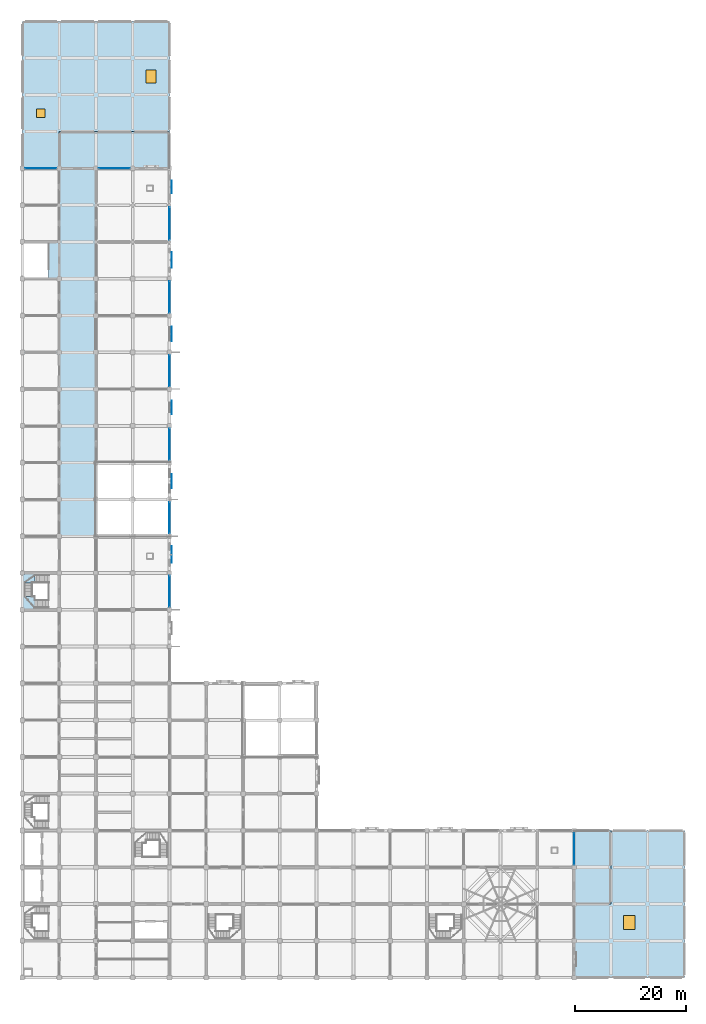
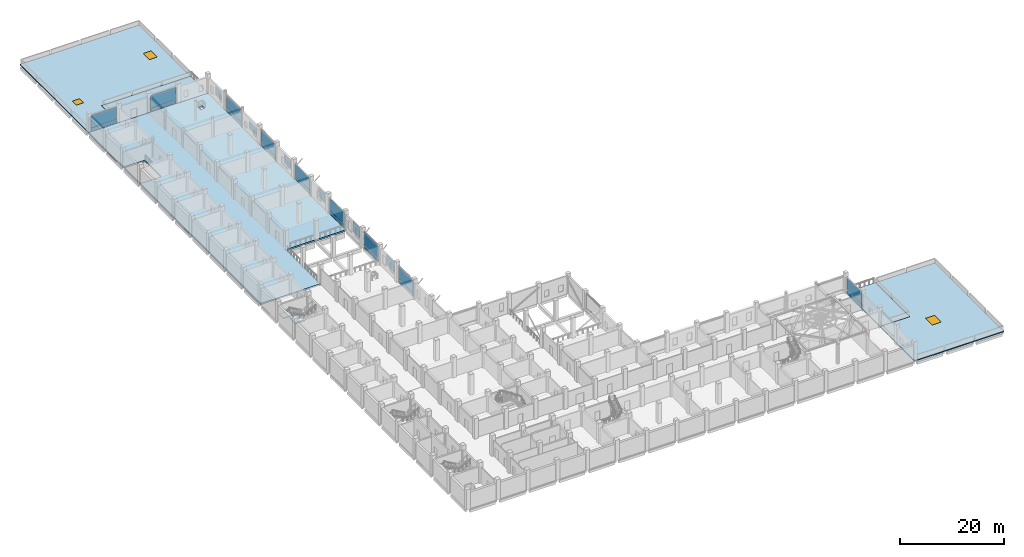
# One storey, part 16 of 34: 24 plates, 7 slabs, 3 windows, 3 openings, 10 elements without a shape of their own.
"""IFC4 building model written with IfcOpenShell, lengths in metres."""

import ifcopenshell
import ifcopenshell.guid

model = None  # the IFC model being written
_history = None  # IfcOwnerHistory: only IFC2X3 demands one
_inside = {}  # id of a spatial element -> (the spatial element, [elements in it])
_under = {}  # id of a project, library or spatial element -> (it, [spatial elements below it])
_declared = {}  # id of a project -> (the project, [libraries it declares])
_typed = {}  # id of a type object -> (the type object, [elements of that type])
_made_of = {}  # id of a material, layer set ... -> (it, [elements and type objects made of it])


def new_model(schema):
    """Start an empty IFC model of exactly this schema.

    Asked for "IFC4X3", IfcOpenShell would pick the latest addendum, in which some entities
    have other attributes; the version numbers below select the first issue.
    IFC2X3 requires an IfcOwnerHistory on every rooted entity: one is made here for all.
    """
    global model, _history
    if schema == "IFC4X3":
        model = ifcopenshell.file(schema_version=(4, 3, 0, 0))
    else:
        model = ifcopenshell.file(schema=schema)
    _inside.clear()
    _under.clear()
    _declared.clear()
    _typed.clear()
    _made_of.clear()
    _history = None
    if model.schema == "IFC2X3":
        org = make("IfcOrganization", Name="unknown")
        user = make(
            "IfcPersonAndOrganization",
            ThePerson=make("IfcPerson", FamilyName="unknown"),
            TheOrganization=org,
        )
        app = make(
            "IfcApplication",
            ApplicationDeveloper=org,
            Version="unknown",
            ApplicationFullName="unknown",
            ApplicationIdentifier="unknown",
        )
        _history = make(
            "IfcOwnerHistory",
            OwningUser=user,
            OwningApplication=app,
            ChangeAction="ADDED",
            CreationDate=0,
        )
    return model


def make(cls, **values):
    """One entity of the class cls with the attributes given. An attribute that is None is left unset."""
    return model.create_entity(
        cls, **{name: value for name, value in values.items() if value is not None}
    )


def rooted(cls, **values):
    """An entity with a GlobalId (a new one), such as an element, a storey or a relation."""
    return make(cls, GlobalId=ifcopenshell.guid.new(), OwnerHistory=_history, **values)


def si_unit(unit_type, name, prefix=None):
    """IfcSIUnit, for example si_unit("LENGTHUNIT", "METRE", prefix="MILLI")."""
    return make("IfcSIUnit", UnitType=unit_type, Prefix=prefix, Name=name)


def assignment(units):
    """IfcUnitAssignment: the units of a project."""
    return None if units is None else make("IfcUnitAssignment", Units=units)


def point(xyz):
    """IfcCartesianPoint."""
    return None if xyz is None else make("IfcCartesianPoint", Coordinates=xyz)


def direction(xyz):
    """IfcDirection."""
    return None if xyz is None else make("IfcDirection", DirectionRatios=xyz)


def frame(location, z_axis=None, x_axis=None):
    """IfcAxis2Placement3D, a coordinate frame: its origin and axes. An axis left out is left unset."""
    return make(
        "IfcAxis2Placement3D",
        Location=point(location),
        Axis=direction(z_axis),
        RefDirection=direction(x_axis),
    )


def frame_2d(location, x_axis=None):
    """IfcAxis2Placement2D, a coordinate frame in the plane: its origin and x axis."""
    return make(
        "IfcAxis2Placement2D", Location=point(location), RefDirection=direction(x_axis)
    )


def origin():
    """The frame at (0, 0, 0) with its axes left unset."""
    return frame((0.0, 0.0, 0.0))


def origin_2d():
    """The frame at (0, 0) in the plane with its x axis left unset."""
    return frame_2d((0.0, 0.0))


def place(relative_to, where):
    """IfcLocalPlacement: puts the frame where relative to a parent placement (None: the world)."""
    return make(
        "IfcLocalPlacement", PlacementRelTo=relative_to, RelativePlacement=where
    )


def context(
    kind, dimensions, precision=None, world=None, true_north=None, identifier=None
):
    """IfcGeometricRepresentationContext, for example the 3D "Model" context."""
    return make(
        "IfcGeometricRepresentationContext",
        ContextIdentifier=identifier,
        ContextType=kind,
        CoordinateSpaceDimension=dimensions,
        Precision=precision,
        WorldCoordinateSystem=world,
        TrueNorth=true_north,
    )


def subcontext(parent, identifier, kind, view, scale=None):
    """IfcGeometricRepresentationSubContext, for example "Body" below "Model"."""
    return make(
        "IfcGeometricRepresentationSubContext",
        ContextIdentifier=identifier,
        ContextType=kind,
        ParentContext=parent,
        TargetScale=scale,
        TargetView=view,
    )


def project(units=None, contexts=None):
    """IfcProject with its units and contexts."""
    return rooted(
        "IfcProject",
        Name="project",
        RepresentationContexts=contexts,
        UnitsInContext=assignment(units),
    )


def spatial(cls, under=None, at=None, **own):
    """A site, building, storey or space (cls), placed at a placement, below another one or the project."""
    s = rooted(cls, ObjectPlacement=at, **own)
    if under is not None:
        _under.setdefault(under.id(), (under, []))[1].append(s)
    return s


def polyline(points):
    """IfcPolyline through the points."""
    return make("IfcPolyline", Points=[point(p) for p in points])


def profile(cls, at=None, kind="AREA", **sizes):
    """A parametric profile (cls). Its sizes go by their IFC names, for example OverallWidth=200.0."""
    return make(cls, ProfileType=kind, Position=at, **sizes)


def rectangle(**sizes):
    """IfcRectangleProfileDef."""
    return profile("IfcRectangleProfileDef", **sizes)


def outline(outer, holes=None, kind="AREA"):
    """IfcArbitraryClosedProfileDef: a profile drawn as a closed curve; with holes, ...WithVoids."""
    if holes is None:
        return make("IfcArbitraryClosedProfileDef", ProfileType=kind, OuterCurve=outer)
    return make(
        "IfcArbitraryProfileDefWithVoids",
        ProfileType=kind,
        OuterCurve=outer,
        InnerCurves=holes,
    )


def extrude(swept, where, along, depth):
    """IfcExtrudedAreaSolid: the profile swept, set in the frame where, extruded along a direction by depth."""
    return make(
        "IfcExtrudedAreaSolid",
        SweptArea=swept,
        Position=where,
        ExtrudedDirection=direction(along),
        Depth=depth,
    )


def shape(context_of_items, identifier, shape_type, items):
    """IfcShapeRepresentation: the items that make up one representation, for example the "Body"."""
    return make(
        "IfcShapeRepresentation",
        ContextOfItems=context_of_items,
        RepresentationIdentifier=identifier,
        RepresentationType=shape_type,
        Items=items,
    )


def material(Name=None, Category=None):
    """IfcMaterial."""
    return make("IfcMaterial", Name=Name, Category=Category)


def layer(
    of_material, thickness, ventilated=None, Name=None, Category=None, Priority=None
):
    """IfcMaterialLayer: one layer of a wall or slab, of a material (None: an air gap)."""
    return make(
        "IfcMaterialLayer",
        Material=of_material,
        LayerThickness=thickness,
        IsVentilated=ventilated,
        Name=Name,
        Category=Category,
        Priority=Priority,
    )


def layer_set(layers, Name=None):
    """IfcMaterialLayerSet."""
    return make("IfcMaterialLayerSet", MaterialLayers=layers, LayerSetName=Name)


def made_of(thing, what):
    """Note that an element or type object is made of a material, layer set ...; save() writes the relation."""
    if what is not None:
        _made_of.setdefault(what.id(), (what, []))[1].append(thing)
    return thing


def type_object(cls, material=None, **own):
    """A type object (cls), such as IfcWallType, which elements share."""
    return made_of(rooted(cls, **own), material)


def element(
    cls,
    number,
    at=None,
    inside=None,
    cuts=None,
    type_object=None,
    material=None,
    context=None,
    identifier="Body",
    shape_type=None,
    held_by="IfcProductDefinitionShape",
    body=None,
    shapes=None,
    **own,
):
    """One element of the class cls, such as IfcWall. Its Tag is "e" and its number.

    at: its placement. inside: the storey or other place that contains it. cuts: it is an
    opening in that element (IfcRelVoidsElement). A single representation is given by context,
    identifier, shape_type and body (its items); several are given by shapes. held_by: the class
    of the entity that holds the representations. save() writes the other relations.
    """
    e = rooted(cls, Tag="e%d" % number, ObjectPlacement=at, **own)
    if body is not None:
        shapes = [shape(context, identifier, shape_type, body)]
    if shapes is not None:
        e.Representation = make(held_by, Representations=shapes)
    if inside is not None:
        _inside.setdefault(inside.id(), (inside, []))[1].append(e)
    if cuts is not None:
        rooted(
            "IfcRelVoidsElement", RelatingBuildingElement=cuts, RelatedOpeningElement=e
        )
    if type_object is not None:
        _typed.setdefault(type_object.id(), (type_object, []))[1].append(e)
    return made_of(e, material)


def fill(opening, filler):
    """IfcRelFillsElement: the door or window that sits in an opening."""
    return rooted(
        "IfcRelFillsElement",
        RelatingOpeningElement=opening,
        RelatedBuildingElement=filler,
    )


def aggregate(whole, parts):
    """IfcRelAggregates: a whole, such as a stair, and the parts it consists of."""
    return rooted("IfcRelAggregates", RelatingObject=whole, RelatedObjects=parts)


def save(model, path):
    """Write the relations noted so far, then the file.

    IfcRelAggregates (storeys below a building ...), IfcRelContainedInSpatialStructure (elements
    in a storey), IfcRelDefinesByType, IfcRelAssociatesMaterial and IfcRelDeclares: one each for
    every whole, place, type object, material and project.
    """
    for whole, parts in _under.values():
        aggregate(whole, parts)
    for where, things in _inside.values():
        rooted(
            "IfcRelContainedInSpatialStructure",
            RelatedElements=things,
            RelatingStructure=where,
        )
    for kind, things in _typed.values():
        rooted("IfcRelDefinesByType", RelatedObjects=things, RelatingType=kind)
    for what, things in _made_of.values():
        rooted("IfcRelAssociatesMaterial", RelatedObjects=things, RelatingMaterial=what)
    for by, libraries in _declared.values():
        rooted("IfcRelDeclares", RelatingContext=by, RelatedDefinitions=libraries)
    model.write(path)


model = new_model("IFC4")

# Units and contexts
model_context = context("Model", 3, precision=1e-05, world=origin(), true_north=direction((0.0, 1.0)))
body_context = subcontext(model_context, "Body", "Model", "MODEL_VIEW")
ifc_project = project(units=[si_unit("LENGTHUNIT", "METRE"), si_unit("AREAUNIT", "SQUARE_METRE"), si_unit("VOLUMEUNIT", "CUBIC_METRE"), si_unit("PLANEANGLEUNIT", "RADIAN"), si_unit("MASSUNIT", "GRAM", prefix="KILO")], contexts=[model_context])

# Site, building, storey
site_placement = place(None, origin())
site = spatial("IfcSite", under=ifc_project, at=site_placement, CompositionType="ELEMENT")
building_placement = place(site_placement, origin())
building = spatial("IfcBuilding", under=site, at=building_placement, Name="Rusizi Kubbe Research Institute", CompositionType="ELEMENT")
storey_placement = place(building_placement, frame((0.0, 0.0, 5.39990234375)))
storey = spatial("IfcBuildingStorey", under=building, at=storey_placement, Name="L01", CompositionType="ELEMENT", Elevation=5.39990234375)

# Curtain wall, plate
ifc_material_1 = material(Name="Thermally Broken Aluminium and Low-E Glazing", Category="aluminium")
curtain_wall_type_1 = type_object("IfcCurtainWallType", Name="CW-17", PredefinedType="NOTDEFINED", material=ifc_material_1)
curtain_wall_1_placement = place(storey_placement, origin())
curtain_wall_1 = element("IfcCurtainWall", 1, at=curtain_wall_1_placement, inside=storey, type_object=curtain_wall_type_1, Name="Unitised Facade Curtain Wall CW-L01-V-04-18", PredefinedType="NOTDEFINED")
ifc_material_2 = material(Name="Double Low-E Solar Control Insulated Glass", Category="glass")
ifc_layer_1 = layer(ifc_material_2, 0.02392578125)
ifc_layer_set_1 = layer_set([ifc_layer_1], Name="Double Low-E Solar Control Insulated Glass")
plate_type_1 = type_object("IfcPlateType", Name="GL-01", PredefinedType="CURTAIN_PANEL", material=ifc_layer_set_1)
plate_1_placement = place(storey_placement, frame((26.39990234375, 122.10009765625, 0.93017578125), z_axis=(0.0, 0.0, 1.0), x_axis=(0.0, 1.0, 0.0)))
plate_1 = element("IfcPlate", 2, at=plate_1_placement, type_object=plate_type_1, Name="CW-17 panel 1.2", PredefinedType="CURTAIN_PANEL", context=body_context, shape_type="SweptSolid", body=[
    extrude(rectangle(XDim=5.610107421875, YDim=0.02392578125, at=origin_2d()), origin(), (0.0, 0.0, 1.0), 2.860107421875),
])

curtain_wall_2_placement = place(storey_placement, origin())
curtain_wall_2 = element("IfcCurtainWall", 3, at=curtain_wall_2_placement, inside=storey, type_object=curtain_wall_type_1, Name="Unitised Facade Curtain Wall CW-L01-H-00-22", PredefinedType="NOTDEFINED")
ifc_material_3 = material(Name="Double Low-E Solar Control Insulated Glass", Category="glass")
ifc_layer_2 = layer(ifc_material_3, 0.028076171875)
ifc_layer_set_2 = layer_set([ifc_layer_2], Name="Double Low-E Solar Control Insulated Glass")
plate_type_2 = type_object("IfcPlateType", Name="GL-02", PredefinedType="CURTAIN_PANEL", material=ifc_layer_set_2)
plate_2_placement = place(storey_placement, frame((3.300048828125, 145.199951171875, 0.93017578125), z_axis=(0.0, 0.0, 1.0), x_axis=(1.0, 0.0, 0.0)))
plate_2 = element("IfcPlate", 4, at=plate_2_placement, type_object=plate_type_2, Name="CW-17 panel 1.2", PredefinedType="CURTAIN_PANEL", context=body_context, shape_type="SweptSolid", body=[
    extrude(rectangle(XDim=5.6201171875, YDim=0.028076171875, at=origin_2d()), origin(), (0.0, 0.0, 1.0), 2.860107421875),
])

ifc_material_4 = material(Name="Thermally Broken Aluminium and Low-E Glazing", Category="aluminium")
curtain_wall_type_2 = type_object("IfcCurtainWallType", Name="CW-18", PredefinedType="NOTDEFINED", material=ifc_material_4)
curtain_wall_3_placement = place(storey_placement, origin())
curtain_wall_3 = element("IfcCurtainWall", 5, at=curtain_wall_3_placement, inside=storey, type_object=curtain_wall_type_2, Name="Unitised Facade Curtain Wall CW-L01-V-04-20", PredefinedType="NOTDEFINED")
plate_3_placement = place(storey_placement, frame((26.39990234375, 135.300048828125, 0.93017578125), z_axis=(0.0, 0.0, 1.0), x_axis=(0.0, 1.0, 0.0)))
plate_3 = element("IfcPlate", 6, at=plate_3_placement, type_object=plate_type_2, Name="CW-18 panel 1.2", PredefinedType="CURTAIN_PANEL", context=body_context, shape_type="SweptSolid", body=[
    extrude(rectangle(XDim=5.800048828125, YDim=0.028076171875, at=origin_2d()), origin(), (0.0, 0.0, 1.0), 2.860107421875),
])

curtain_wall_4_placement = place(storey_placement, origin())
curtain_wall_4 = element("IfcCurtainWall", 7, at=curtain_wall_4_placement, inside=storey, type_object=curtain_wall_type_1, Name="Unitised Facade Curtain Wall CW-L01-H-02-22", PredefinedType="NOTDEFINED")
ifc_material_5 = material(Name="Double Low-E Solar Control Insulated Glass", Category="glass")
ifc_layer_3 = layer(ifc_material_5, 0.031982421875)
ifc_layer_set_3 = layer_set([ifc_layer_3], Name="Double Low-E Solar Control Insulated Glass")
plate_type_3 = type_object("IfcPlateType", Name="GL-03", PredefinedType="CURTAIN_PANEL", material=ifc_layer_set_3)
plate_4_placement = place(storey_placement, frame((16.5, 145.199951171875, 0.9326171875), z_axis=(0.0, 0.0, 1.0), x_axis=(1.0, 0.0, 0.0)))
plate_4 = element("IfcPlate", 8, at=plate_4_placement, type_object=plate_type_3, Name="CW-17 panel 1.2", PredefinedType="CURTAIN_PANEL", context=body_context, shape_type="SweptSolid", body=[
    extrude(rectangle(XDim=5.610107421875, YDim=0.031982421875, at=origin_2d()), origin(), (0.0, 0.0, 1.0), 2.8525390625),
])

curtain_wall_5_placement = place(storey_placement, origin())
curtain_wall_5 = element("IfcCurtainWall", 9, at=curtain_wall_5_placement, inside=storey, type_object=curtain_wall_type_2, Name="Unitised Facade Curtain Wall CW-L01-V-15-03", PredefinedType="NOTDEFINED")
plate_5_placement = place(storey_placement, frame((99.0, 23.10009765625, 0.9326171875), z_axis=(0.0, 0.0, 1.0), x_axis=(0.0, 1.0, 0.0)))
plate_5 = element("IfcPlate", 10, at=plate_5_placement, type_object=plate_type_3, Name="CW-18 panel 1.2", PredefinedType="CURTAIN_PANEL", context=body_context, shape_type="SweptSolid", body=[
    extrude(rectangle(XDim=5.6201171875, YDim=0.031982421875, at=origin_2d()), origin(), (0.0, 0.0, 1.0), 2.8525390625),
])

curtain_wall_6_placement = place(storey_placement, origin())
curtain_wall_6 = element("IfcCurtainWall", 11, at=curtain_wall_6_placement, inside=storey, type_object=curtain_wall_type_1, Name="Unitised Facade Curtain Wall CW-L01-V-04-10", PredefinedType="NOTDEFINED")
ifc_material_6 = material(Name="Double Low-E Solar Control Insulated Glass", Category="glass")
ifc_layer_4 = layer(ifc_material_6, 0.0400390625)
ifc_layer_set_4 = layer_set([ifc_layer_4], Name="Double Low-E Solar Control Insulated Glass")
plate_type_4 = type_object("IfcPlateType", Name="GL-05", PredefinedType="CURTAIN_PANEL", material=ifc_layer_set_4)
plate_6_placement = place(storey_placement, frame((26.39990234375, 69.300048828125, 0.93017578125), z_axis=(0.0, 0.0, 1.0), x_axis=(0.0, 1.0, 0.0)))
plate_6 = element("IfcPlate", 12, at=plate_6_placement, type_object=plate_type_4, Name="CW-17 panel 1.2", PredefinedType="CURTAIN_PANEL", context=body_context, shape_type="SweptSolid", body=[
    extrude(rectangle(XDim=5.590087890625, YDim=0.0400390625, at=origin_2d()), origin(), (0.0, 0.0, 1.0), 2.860107421875),
])

curtain_wall_7_placement = place(storey_placement, origin())
curtain_wall_7 = element("IfcCurtainWall", 13, at=curtain_wall_7_placement, inside=storey, type_object=curtain_wall_type_1, Name="Unitised Facade Curtain Wall CW-L01-V-04-12", PredefinedType="NOTDEFINED")
ifc_material_7 = material(Name="Double Low-E Solar Control Insulated Glass", Category="glass")
ifc_layer_5 = layer(ifc_material_7, 0.0439453125)
ifc_layer_set_5 = layer_set([ifc_layer_5], Name="Double Low-E Solar Control Insulated Glass")
plate_type_5 = type_object("IfcPlateType", Name="GL-06", PredefinedType="CURTAIN_PANEL", material=ifc_layer_set_5)
plate_7_placement = place(storey_placement, frame((26.39990234375, 82.5, 0.93017578125), z_axis=(0.0, 0.0, 1.0), x_axis=(0.0, 1.0, 0.0)))
plate_7 = element("IfcPlate", 14, at=plate_7_placement, type_object=plate_type_5, Name="CW-17 panel 1.2", PredefinedType="CURTAIN_PANEL", context=body_context, shape_type="SweptSolid", body=[
    extrude(rectangle(XDim=5.580078125, YDim=0.0439453125, at=origin_2d()), origin(), (0.0, 0.0, 1.0), 2.860107421875),
])

curtain_wall_8_placement = place(storey_placement, origin())
curtain_wall_8 = element("IfcCurtainWall", 15, at=curtain_wall_8_placement, inside=storey, type_object=curtain_wall_type_1, Name="Unitised Facade Curtain Wall CW-L01-V-04-14", PredefinedType="NOTDEFINED")
ifc_material_8 = material(Name="Double Low-E Solar Control Insulated Glass", Category="glass")
ifc_layer_6 = layer(ifc_material_8, 0.048095703125)
ifc_layer_set_6 = layer_set([ifc_layer_6], Name="Double Low-E Solar Control Insulated Glass")
plate_type_6 = type_object("IfcPlateType", Name="GL-07", PredefinedType="CURTAIN_PANEL", material=ifc_layer_set_6)
plate_8_placement = place(storey_placement, frame((26.39990234375, 95.699951171875, 0.9326171875), z_axis=(0.0, 0.0, 1.0), x_axis=(0.0, 1.0, 0.0)))
plate_8 = element("IfcPlate", 16, at=plate_8_placement, type_object=plate_type_6, Name="CW-17 panel 1.2", PredefinedType="CURTAIN_PANEL", context=body_context, shape_type="SweptSolid", body=[
    extrude(rectangle(XDim=5.6201171875, YDim=0.048095703125, at=origin_2d()), origin(), (0.0, 0.0, 1.0), 2.8525390625),
])

curtain_wall_9_placement = place(storey_placement, origin())
curtain_wall_9 = element("IfcCurtainWall", 17, at=curtain_wall_9_placement, inside=storey, type_object=curtain_wall_type_1, Name="Unitised Facade Curtain Wall CW-L01-V-04-16", PredefinedType="NOTDEFINED")
ifc_material_9 = material(Name="Double Low-E Solar Control Insulated Glass", Category="glass")
ifc_layer_7 = layer(ifc_material_9, 0.052001953125)
ifc_layer_set_7 = layer_set([ifc_layer_7], Name="Double Low-E Solar Control Insulated Glass")
plate_type_7 = type_object("IfcPlateType", Name="GL-08", PredefinedType="CURTAIN_PANEL", material=ifc_layer_set_7)
plate_9_placement = place(storey_placement, frame((26.39990234375, 108.89990234375, 0.93505859375), z_axis=(0.0, 0.0, 1.0), x_axis=(0.0, 1.0, 0.0)))
plate_9 = element("IfcPlate", 18, at=plate_9_placement, type_object=plate_type_7, Name="CW-17 panel 1.2", PredefinedType="CURTAIN_PANEL", context=body_context, shape_type="SweptSolid", body=[
    extrude(rectangle(XDim=5.6201171875, YDim=0.052001953125, at=origin_2d()), origin(), (0.0, 0.0, 1.0), 2.844970703125),
])

# Plates
ifc_material_10 = material(Name="Perforated Architectural Bronze Screen", Category="steel")
ifc_layer_8 = layer(ifc_material_10, 0.01806640625)
ifc_layer_set_8 = layer_set([ifc_layer_8], Name="Perforated Architectural Bronze Screen")
plate_type_8 = type_object("IfcPlateType", Name="MS-01", PredefinedType="SHEET", material=ifc_layer_set_8)
plate_10_placement = place(storey_placement, frame((26.830078125, 102.300048828125, 0.760009765625), z_axis=(0.0, 0.0, 1.0), x_axis=(0.0, 1.0, 0.0)))
element("IfcPlate", 19, at=plate_10_placement, inside=storey, type_object=plate_type_8, Name="Mashrabiya Perforated Screen MS-01-024", PredefinedType="SHEET", context=body_context, shape_type="SweptSolid", body=[
    extrude(rectangle(XDim=2.39990234375, YDim=0.01806640625, at=origin_2d()), origin(), (0.0, 0.0, 1.0), 2.52001953125),
])
ifc_material_11 = material(Name="Perforated Architectural Bronze Screen", Category="steel")
ifc_layer_9 = layer(ifc_material_11, 0.02001953125)
ifc_layer_set_9 = layer_set([ifc_layer_9], Name="Perforated Architectural Bronze Screen")
plate_type_9 = type_object("IfcPlateType", Name="MS-02", PredefinedType="SHEET", material=ifc_layer_set_9)
plate_11_placement = place(storey_placement, frame((26.8125, 115.5, 0.760009765625), z_axis=(0.0, 0.0, 1.0), x_axis=(0.0, 1.0, 0.0)))
element("IfcPlate", 20, at=plate_11_placement, inside=storey, type_object=plate_type_9, Name="Mashrabiya Perforated Screen MS-02-025", PredefinedType="SHEET", context=body_context, shape_type="SweptSolid", body=[
    extrude(rectangle(XDim=2.60009765625, YDim=0.02001953125, at=origin_2d()), origin(), (0.0, 0.0, 1.0), 2.06005859375),
])
ifc_material_12 = material(Name="Perforated Architectural Bronze Screen", Category="steel")
ifc_layer_10 = layer(ifc_material_12, 0.02197265625)
ifc_layer_set_10 = layer_set([ifc_layer_10], Name="Perforated Architectural Bronze Screen")
plate_type_10 = type_object("IfcPlateType", Name="MS-03", PredefinedType="SHEET", material=ifc_layer_set_10)
plate_12_placement = place(storey_placement, frame((26.797607421875, 128.75, 0.76025390625), z_axis=(0.0, 0.0, 1.0), x_axis=(0.0, 1.0, 0.0)))
element("IfcPlate", 21, at=plate_12_placement, inside=storey, type_object=plate_type_10, Name="Mashrabiya Perforated Screen MS-03-026", PredefinedType="SHEET", context=body_context, shape_type="SweptSolid", body=[
    extrude(rectangle(XDim=2.800048828125, YDim=0.02197265625, at=origin_2d()), origin(), (0.0, 0.0, 1.0), 1.679931640625),
])
ifc_material_13 = material(Name="Perforated Architectural Bronze Screen", Category="steel")
ifc_layer_11 = layer(ifc_material_13, 0.01611328125)
ifc_layer_set_11 = layer_set([ifc_layer_11], Name="Perforated Architectural Bronze Screen")
plate_type_11 = type_object("IfcPlateType", Name="MS-04", PredefinedType="SHEET", material=ifc_layer_set_11)
plate_13_placement = place(storey_placement, frame((26.782470703125, 141.85009765625, 0.760009765625), z_axis=(0.0, 0.0, 1.0), x_axis=(0.0, 1.0, 0.0)))
element("IfcPlate", 22, at=plate_13_placement, inside=storey, type_object=plate_type_11, Name="Mashrabiya Perforated Screen MS-04-027", PredefinedType="SHEET", context=body_context, shape_type="SweptSolid", body=[
    extrude(rectangle(XDim=2.199951171875, YDim=0.01611328125, at=origin_2d()), origin(), (0.0, 0.0, 1.0), 2.1201171875),
])
ifc_material_14 = material(Name="Perforated Architectural Bronze Screen", Category="steel")
ifc_layer_12 = layer(ifc_material_14, 0.02392578125)
ifc_layer_set_12 = layer_set([ifc_layer_12], Name="Perforated Architectural Bronze Screen")
plate_type_12 = type_object("IfcPlateType", Name="MS-05", PredefinedType="SHEET", material=ifc_layer_set_12)
plate_14_placement = place(storey_placement, frame((26.797607421875, 75.89990234375, 0.760009765625), z_axis=(0.0, 0.0, 1.0), x_axis=(0.0, 1.0, 0.0)))
element("IfcPlate", 23, at=plate_14_placement, inside=storey, type_object=plate_type_12, Name="Mashrabiya Perforated Screen MS-05-022", PredefinedType="SHEET", context=body_context, shape_type="SweptSolid", body=[
    extrude(rectangle(XDim=3.0, YDim=0.02392578125, at=origin_2d()), origin(), (0.0, 0.0, 1.0), 2.5400390625),
])
ifc_material_15 = material(Name="Perforated Architectural Bronze Screen", Category="steel")
ifc_layer_13 = layer(ifc_material_15, 0.01904296875)
ifc_layer_set_13 = layer_set([ifc_layer_13], Name="Perforated Architectural Bronze Screen")
plate_type_13 = type_object("IfcPlateType", Name="MS-06", PredefinedType="SHEET", material=ifc_layer_set_13)
plate_15_placement = place(storey_placement, frame((26.782470703125, 89.10009765625, 0.760009765625), z_axis=(0.0, 0.0, 1.0), x_axis=(0.0, 1.0, 0.0)))
element("IfcPlate", 24, at=plate_15_placement, inside=storey, type_object=plate_type_13, Name="Mashrabiya Perforated Screen MS-06-023", PredefinedType="SHEET", context=body_context, shape_type="SweptSolid", body=[
    extrude(rectangle(XDim=2.5, YDim=0.01904296875, at=origin_2d()), origin(), (0.0, 0.0, 1.0), 2.56005859375),
])

# Slab
ifc_material_16 = material(Name="Concrete C40/50", Category="concrete")
ifc_layer_14 = layer(ifc_material_16, 0.35009765625)
ifc_layer_set_14 = layer_set([ifc_layer_14], Name="Concrete C40/50")
slab_type_1 = type_object("IfcSlabType", Name="SL-F350", PredefinedType="FLOOR", material=ifc_layer_set_14)
slab_1_placement = place(storey_placement, frame((0.0, 0.0, -0.349853515625)))
element("IfcSlab", 25, at=slab_1_placement, inside=storey, type_object=slab_type_1, Name="Structural Slab L01 NORTHB", PredefinedType="FLOOR", context=body_context, shape_type="SweptSolid", body=[
    extrude(outline(polyline([(0.0, 105.60009765625), (0.0, 112.199951171875), (0.0, 118.800048828125), (0.0, 125.39990234375), (0.0, 132.0), (0.0, 138.60009765625), (0.0, 145.199951171875), (6.60009765625, 145.199951171875), (13.199951171875, 145.199951171875), (19.800048828125, 145.199951171875), (26.39990234375, 145.199951171875), (26.39990234375, 138.60009765625), (26.39990234375, 132.0), (26.39990234375, 125.39990234375), (26.39990234375, 118.800048828125), (26.39990234375, 112.199951171875), (26.39990234375, 105.60009765625), (26.39990234375, 99.0), (26.39990234375, 92.39990234375), (19.800048828125, 92.39990234375), (13.199951171875, 92.39990234375), (13.199951171875, 85.800048828125), (13.199951171875, 79.199951171875), (6.60009765625, 79.199951171875), (0.0, 79.199951171875), (0.0, 85.800048828125), (0.0, 92.39990234375), (0.0, 99.0), (0.0, 105.60009765625)]), holes=[polyline([(4.699951171875, 131.860107421875), (0.139892578125, 131.860107421875), (0.139892578125, 125.5400390625), (4.699951171875, 125.5400390625), (4.699951171875, 131.860107421875)]), polyline([(23.35009765625, 142.050048828125), (22.39990234375, 142.050048828125), (22.39990234375, 141.199951171875), (23.35009765625, 141.199951171875), (23.35009765625, 142.050048828125)])]), origin(), (0.0, 0.0, 1.0), 0.349853515625),
])

# Stair, slabs
ifc_material_17 = material(Name="Concrete C40/50", Category="concrete")
stair_type = type_object("IfcStairType", Name="ST-H480", PredefinedType="THREE_QUARTER_TURN_STAIR", material=ifc_material_17)
stair_placement = place(storey_placement, origin())
stair = element("IfcStair", 26, at=stair_placement, inside=storey, type_object=stair_type, Name="Protected Exit Stair ST5 (L01)", PredefinedType="THREE_QUARTER_TURN_STAIR")
ifc_material_18 = material(Name="Concrete C40/50", Category="concrete")
ifc_layer_15 = layer(ifc_material_18, 0.195068359375)
ifc_layer_set_15 = layer_set([ifc_layer_15], Name="Concrete C40/50")
slab_type_2 = type_object("IfcSlabType", Name="SL-L195", PredefinedType="LANDING", material=ifc_layer_set_15)
slab_2_placement = place(storey_placement, frame((0.0, 0.0, 1.405029296875)))
slab_2 = element("IfcSlab", 27, at=slab_2_placement, type_object=slab_type_2, Name="ST5 landing 1", PredefinedType="LANDING", context=body_context, shape_type="SweptSolid", body=[
    extrude(outline(polyline([(2.26611328125, 72.4599609375), (0.139892578125, 72.4599609375), (0.139892578125, 70.85009765625), (2.26611328125, 70.85009765625), (2.26611328125, 72.4599609375)])), origin(), (0.0, 0.0, 1.0), 0.195068359375),
])
slab_3_placement = place(storey_placement, frame((0.0, 0.0, 3.005126953125)))
slab_3 = element("IfcSlab", 28, at=slab_3_placement, type_object=slab_type_2, Name="ST5 landing 2", PredefinedType="LANDING", context=body_context, shape_type="SweptSolid", body=[
    extrude(outline(polyline([(2.26611328125, 68.416015625), (0.139892578125, 68.416015625), (0.139892578125, 66.139892578125), (2.26611328125, 66.139892578125), (2.26611328125, 68.416015625)])), origin(), (0.0, 0.0, 1.0), 0.195068359375),
])
aggregate(stair, [slab_2, slab_3])

# Slab, openings, windows
ifc_material_19 = material(Name="Concrete C40/50", Category="concrete")
ifc_layer_16 = layer(ifc_material_19, 0.235107421875)
ifc_layer_set_16 = layer_set([ifc_layer_16], Name="Concrete C40/50")
slab_type_3 = type_object("IfcSlabType", Name="SL-R235", PredefinedType="ROOF", material=ifc_layer_set_16)
slab_4_placement = place(storey_placement, frame((0.0, 0.0, -0.23486328125)))
slab_4 = element("IfcSlab", 29, at=slab_4_placement, inside=storey, type_object=slab_type_3, Name="Stepback Maintenance Roof Slab L01-1", PredefinedType="ROOF", context=body_context, shape_type="SweptSolid", body=[
    extrude(outline(polyline([(0.0, 165.0), (0.0, 171.60009765625), (6.60009765625, 171.60009765625), (13.199951171875, 171.60009765625), (19.800048828125, 171.60009765625), (26.39990234375, 171.60009765625), (26.39990234375, 165.0), (26.39990234375, 158.39990234375), (26.39990234375, 151.800048828125), (19.800048828125, 151.800048828125), (13.199951171875, 151.800048828125), (6.60009765625, 151.800048828125), (6.60009765625, 145.205078125), (0.0, 145.205078125), (0.0, 151.800048828125), (0.0, 158.39990234375), (0.0, 165.0)])), origin(), (0.0, 0.0, 1.0), 0.23486328125),
])
opening_1_placement = place(slab_4_placement, frame((3.300048828125, 155.10009765625, -0.010009765625)))
opening_1 = element("IfcOpeningElement", 30, at=opening_1_placement, cuts=slab_4, Name="Opening SK-01", PredefinedType="OPENING", context=body_context, shape_type="SweptSolid", body=[
    extrude(rectangle(XDim=1.56005859375, YDim=1.56005859375, at=origin_2d()), origin(), (0.0, 0.0, 1.0), 0.2548828125),
])
opening_2_placement = place(slab_4_placement, frame((23.10009765625, 161.699951171875, -0.010009765625)))
opening_2 = element("IfcOpeningElement", 31, at=opening_2_placement, cuts=slab_4, Name="Opening SK-02", PredefinedType="OPENING", context=body_context, shape_type="SweptSolid", body=[
    extrude(rectangle(XDim=1.780029296875, YDim=2.360107421875, at=origin_2d()), origin(), (0.0, 0.0, 1.0), 0.2548828125),
])
ifc_material_20 = material(Name="Laminated Insulated Roof Glazing", Category="glass")
window_type_1 = type_object("IfcWindowType", Name="SK-01", PartitioningType="SINGLE_PANEL", PredefinedType="SKYLIGHT", material=ifc_material_20)
window_1_placement = place(slab_4_placement, frame((3.300048828125, 155.10009765625, 0.184814453125)))
window_1 = element("IfcWindow", 32, at=window_1_placement, inside=storey, type_object=window_type_1, Name="Roof Skylight SK-01-01", OverallHeight=1.56005859375, OverallWidth=1.56005859375, PartitioningType="SINGLE_PANEL", PredefinedType="SKYLIGHT", context=body_context, shape_type="SweptSolid", body=[
    extrude(rectangle(XDim=1.56005859375, YDim=1.56005859375, at=origin_2d()), origin(), (0.0, 0.0, 1.0), 0.050048828125),
])
fill(opening_1, window_1)
ifc_material_21 = material(Name="Laminated Insulated Roof Glazing", Category="glass")
window_type_2 = type_object("IfcWindowType", Name="SK-02", PartitioningType="SINGLE_PANEL", PredefinedType="SKYLIGHT", material=ifc_material_21)
window_2_placement = place(slab_4_placement, frame((23.10009765625, 161.699951171875, 0.184814453125)))
window_2 = element("IfcWindow", 33, at=window_2_placement, inside=storey, type_object=window_type_2, Name="Roof Skylight SK-02-02", OverallHeight=2.360107421875, OverallWidth=1.780029296875, PartitioningType="SINGLE_PANEL", PredefinedType="SKYLIGHT", context=body_context, shape_type="SweptSolid", body=[
    extrude(rectangle(XDim=1.780029296875, YDim=2.360107421875, at=origin_2d()), origin(), (0.0, 0.0, 1.0), 0.050048828125),
])
fill(opening_2, window_2)

# Slab, opening, window
slab_5_placement = place(storey_placement, frame((0.0, 0.0, -0.23486328125)))
slab_5 = element("IfcSlab", 34, at=slab_5_placement, inside=storey, type_object=slab_type_3, Name="Stepback Maintenance Roof Slab L01-2", PredefinedType="ROOF", context=body_context, shape_type="SweptSolid", body=[
    extrude(outline(polyline([(105.60009765625, 13.199951171875), (105.60009765625, 19.800048828125), (105.60009765625, 26.39990234375), (112.199951171875, 26.39990234375), (118.800048828125, 26.39990234375), (118.800048828125, 19.800048828125), (118.800048828125, 13.199951171875), (118.800048828125, 6.60009765625), (118.800048828125, 0.0), (112.199951171875, 0.0), (105.60009765625, 0.0), (99.0048828125, 0.0), (99.0048828125, 13.199951171875), (105.60009765625, 13.199951171875)])), origin(), (0.0, 0.0, 1.0), 0.23486328125),
])
opening_3_placement = place(slab_5_placement, frame((108.89990234375, 9.89990234375, -0.010009765625)))
opening_3 = element("IfcOpeningElement", 35, at=opening_3_placement, cuts=slab_5, Name="Opening SK-03", PredefinedType="OPENING", context=body_context, shape_type="SweptSolid", body=[
    extrude(rectangle(XDim=2.02001953125, YDim=2.580078125, at=origin_2d()), origin(), (0.0, 0.0, 1.0), 0.2548828125),
])
ifc_material_22 = material(Name="Laminated Insulated Roof Glazing", Category="glass")
window_type_3 = type_object("IfcWindowType", Name="SK-03", PartitioningType="SINGLE_PANEL", PredefinedType="SKYLIGHT", material=ifc_material_22)
window_3_placement = place(slab_5_placement, frame((108.89990234375, 9.89990234375, 0.184814453125)))
window_3 = element("IfcWindow", 36, at=window_3_placement, inside=storey, type_object=window_type_3, Name="Roof Skylight SK-03-03", OverallHeight=2.580078125, OverallWidth=2.02001953125, PartitioningType="SINGLE_PANEL", PredefinedType="SKYLIGHT", context=body_context, shape_type="SweptSolid", body=[
    extrude(rectangle(XDim=2.02001953125, YDim=2.580078125, at=origin_2d()), origin(), (0.0, 0.0, 1.0), 0.050048828125),
])
fill(opening_3, window_3)

# Slabs
ifc_material_23 = material(Name="Concrete C40/50", Category="concrete")
ifc_layer_17 = layer(ifc_material_23, 0.264892578125)
ifc_layer_set_17 = layer_set([ifc_layer_17], Name="Concrete C40/50")
slab_type_4 = type_object("IfcSlabType", Name="SL-T265", PredefinedType="FLOOR", material=ifc_layer_set_17)
slab_6_placement = place(storey_placement, frame((0.0, 0.0, -0.264892578125)))
element("IfcSlab", 37, at=slab_6_placement, inside=storey, type_object=slab_type_4, Name="Walkable Roof Terrace Slab L01-1", PredefinedType="FLOOR", context=body_context, shape_type="SweptSolid", body=[
    extrude(outline(polyline([(105.60009765625, 26.39990234375), (105.60009765625, 19.800048828125), (105.60009765625, 13.199951171875), (99.0048828125, 13.199951171875), (99.0048828125, 26.39990234375), (105.60009765625, 26.39990234375)])), origin(), (0.0, 0.0, 1.0), 0.264892578125),
])
slab_7_placement = place(storey_placement, frame((0.0, 0.0, -0.264892578125)))
element("IfcSlab", 38, at=slab_7_placement, inside=storey, type_object=slab_type_4, Name="Walkable Roof Terrace Slab L01-2", PredefinedType="FLOOR", context=body_context, shape_type="SweptSolid", body=[
    extrude(outline(polyline([(13.199951171875, 151.800048828125), (19.800048828125, 151.800048828125), (26.39990234375, 151.800048828125), (26.39990234375, 145.205078125), (6.60009765625, 145.205078125), (6.60009765625, 151.800048828125), (13.199951171875, 151.800048828125)])), origin(), (0.0, 0.0, 1.0), 0.264892578125),
])

# Plate
ifc_material_24 = material(Name="Ceramic-Frit Insulated Spandrel Panel", Category="glass")
ifc_layer_18 = layer(ifc_material_24, 0.05810546875)
ifc_layer_set_18 = layer_set([ifc_layer_18], Name="Ceramic-Frit Insulated Spandrel Panel")
plate_type_14 = type_object("IfcPlateType", Name="SP-01", PredefinedType="CURTAIN_PANEL", material=ifc_layer_set_18)
plate_16_placement = place(storey_placement, frame((26.39990234375, 69.300048828125, 0.06005859375), z_axis=(0.0, 0.0, 1.0), x_axis=(0.0, 1.0, 0.0)))
plate_16 = element("IfcPlate", 39, at=plate_16_placement, type_object=plate_type_14, Name="CW-17 panel 1.1", PredefinedType="CURTAIN_PANEL", context=body_context, shape_type="SweptSolid", body=[
    extrude(rectangle(XDim=5.590087890625, YDim=0.05810546875, at=origin_2d()), origin(), (0.0, 0.0, 1.0), 0.81005859375),
])

aggregate(curtain_wall_6, [plate_16, plate_6])

plate_17_placement = place(storey_placement, frame((26.39990234375, 122.10009765625, 0.06005859375), z_axis=(0.0, 0.0, 1.0), x_axis=(0.0, 1.0, 0.0)))
plate_17 = element("IfcPlate", 40, at=plate_17_placement, type_object=plate_type_14, Name="CW-17 panel 1.1", PredefinedType="CURTAIN_PANEL", context=body_context, shape_type="SweptSolid", body=[
    extrude(rectangle(XDim=5.610107421875, YDim=0.05810546875, at=origin_2d()), origin(), (0.0, 0.0, 1.0), 0.81005859375),
])

aggregate(curtain_wall_1, [plate_17, plate_1])

ifc_material_25 = material(Name="Ceramic-Frit Insulated Spandrel Panel", Category="glass")
ifc_layer_19 = layer(ifc_material_25, 0.06396484375)
ifc_layer_set_19 = layer_set([ifc_layer_19], Name="Ceramic-Frit Insulated Spandrel Panel")
plate_type_15 = type_object("IfcPlateType", Name="SP-02", PredefinedType="CURTAIN_PANEL", material=ifc_layer_set_19)
plate_18_placement = place(storey_placement, frame((3.300048828125, 145.199951171875, 0.06005859375), z_axis=(0.0, 0.0, 1.0), x_axis=(1.0, 0.0, 0.0)))
plate_18 = element("IfcPlate", 41, at=plate_18_placement, type_object=plate_type_15, Name="CW-17 panel 1.1", PredefinedType="CURTAIN_PANEL", context=body_context, shape_type="SweptSolid", body=[
    extrude(rectangle(XDim=5.6201171875, YDim=0.06396484375, at=origin_2d()), origin(), (0.0, 0.0, 1.0), 0.81005859375),
])

aggregate(curtain_wall_2, [plate_18, plate_2])

plate_19_placement = place(storey_placement, frame((26.39990234375, 82.5, 0.06005859375), z_axis=(0.0, 0.0, 1.0), x_axis=(0.0, 1.0, 0.0)))
plate_19 = element("IfcPlate", 42, at=plate_19_placement, type_object=plate_type_15, Name="CW-17 panel 1.1", PredefinedType="CURTAIN_PANEL", context=body_context, shape_type="SweptSolid", body=[
    extrude(rectangle(XDim=5.580078125, YDim=0.06396484375, at=origin_2d()), origin(), (0.0, 0.0, 1.0), 0.81005859375),
])

aggregate(curtain_wall_7, [plate_19, plate_7])

plate_20_placement = place(storey_placement, frame((26.39990234375, 135.300048828125, 0.06005859375), z_axis=(0.0, 0.0, 1.0), x_axis=(0.0, 1.0, 0.0)))
plate_20 = element("IfcPlate", 43, at=plate_20_placement, type_object=plate_type_15, Name="CW-18 panel 1.1", PredefinedType="CURTAIN_PANEL", context=body_context, shape_type="SweptSolid", body=[
    extrude(rectangle(XDim=5.800048828125, YDim=0.06396484375, at=origin_2d()), origin(), (0.0, 0.0, 1.0), 0.81005859375),
])

aggregate(curtain_wall_3, [plate_20, plate_3])

ifc_material_26 = material(Name="Ceramic-Frit Insulated Spandrel Panel", Category="glass")
ifc_layer_20 = layer(ifc_material_26, 0.070068359375)
ifc_layer_set_20 = layer_set([ifc_layer_20], Name="Ceramic-Frit Insulated Spandrel Panel")
plate_type_16 = type_object("IfcPlateType", Name="SP-03", PredefinedType="CURTAIN_PANEL", material=ifc_layer_set_20)
plate_21_placement = place(storey_placement, frame((16.5, 145.199951171875, 0.06494140625), z_axis=(0.0, 0.0, 1.0), x_axis=(1.0, 0.0, 0.0)))
plate_21 = element("IfcPlate", 44, at=plate_21_placement, type_object=plate_type_16, Name="CW-17 panel 1.1", PredefinedType="CURTAIN_PANEL", context=body_context, shape_type="SweptSolid", body=[
    extrude(rectangle(XDim=5.610107421875, YDim=0.070068359375, at=origin_2d()), origin(), (0.0, 0.0, 1.0), 0.802490234375),
])

aggregate(curtain_wall_4, [plate_21, plate_4])

plate_22_placement = place(storey_placement, frame((26.39990234375, 95.699951171875, 0.06494140625), z_axis=(0.0, 0.0, 1.0), x_axis=(0.0, 1.0, 0.0)))
plate_22 = element("IfcPlate", 45, at=plate_22_placement, type_object=plate_type_16, Name="CW-17 panel 1.1", PredefinedType="CURTAIN_PANEL", context=body_context, shape_type="SweptSolid", body=[
    extrude(rectangle(XDim=5.6201171875, YDim=0.070068359375, at=origin_2d()), origin(), (0.0, 0.0, 1.0), 0.802490234375),
])

aggregate(curtain_wall_8, [plate_22, plate_8])

plate_23_placement = place(storey_placement, frame((99.0, 23.10009765625, 0.06494140625), z_axis=(0.0, 0.0, 1.0), x_axis=(0.0, 1.0, 0.0)))
plate_23 = element("IfcPlate", 46, at=plate_23_placement, type_object=plate_type_16, Name="CW-18 panel 1.1", PredefinedType="CURTAIN_PANEL", context=body_context, shape_type="SweptSolid", body=[
    extrude(rectangle(XDim=5.6201171875, YDim=0.070068359375, at=origin_2d()), origin(), (0.0, 0.0, 1.0), 0.802490234375),
])

aggregate(curtain_wall_5, [plate_23, plate_5])

ifc_material_27 = material(Name="Ceramic-Frit Insulated Spandrel Panel", Category="glass")
ifc_layer_21 = layer(ifc_material_27, 0.075927734375)
ifc_layer_set_21 = layer_set([ifc_layer_21], Name="Ceramic-Frit Insulated Spandrel Panel")
plate_type_17 = type_object("IfcPlateType", Name="SP-04", PredefinedType="CURTAIN_PANEL", material=ifc_layer_set_21)
plate_24_placement = place(storey_placement, frame((26.39990234375, 108.89990234375, 0.070068359375), z_axis=(0.0, 0.0, 1.0), x_axis=(0.0, 1.0, 0.0)))
plate_24 = element("IfcPlate", 47, at=plate_24_placement, type_object=plate_type_17, Name="CW-17 panel 1.1", PredefinedType="CURTAIN_PANEL", context=body_context, shape_type="SweptSolid", body=[
    extrude(rectangle(XDim=5.6201171875, YDim=0.075927734375, at=origin_2d()), origin(), (0.0, 0.0, 1.0), 0.794921875),
])

aggregate(curtain_wall_9, [plate_24, plate_9])

save(model, "model.ifc")
